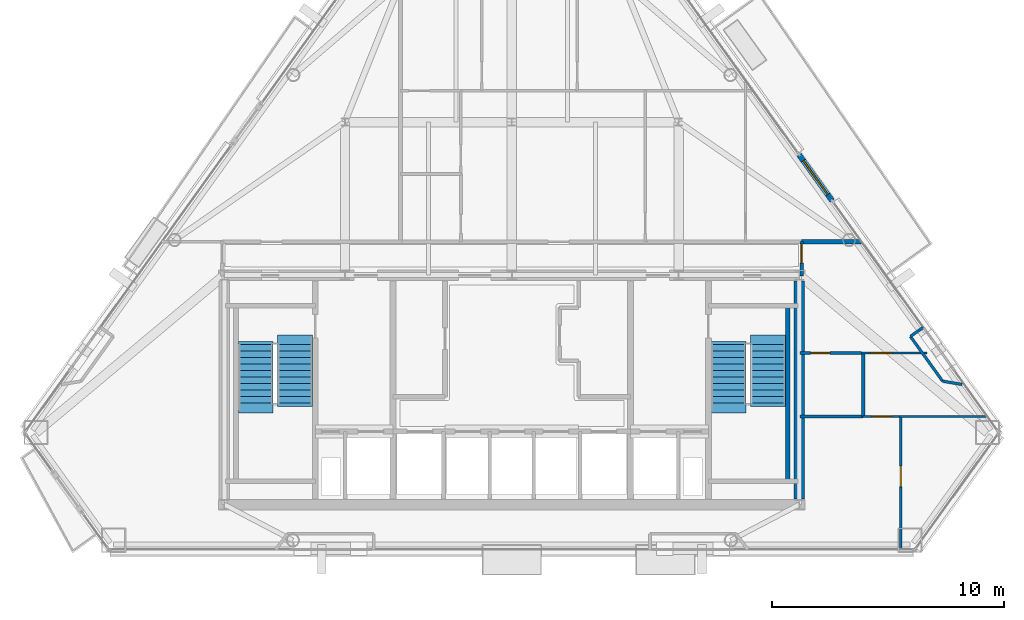
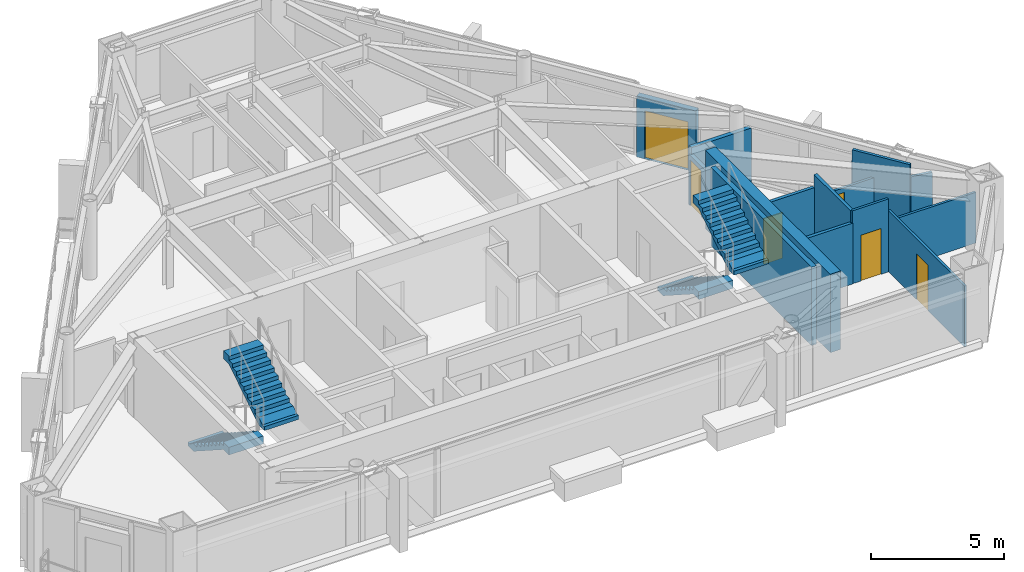
# One storey, part 9 of 11: 15 walls, 6 doors, 4 stair flights, 6 openings, 2 elements without a shape of their own.
"""IFC4 building model written with IfcOpenShell, lengths in metres."""

from ifc_helpers import new_model, si_unit, direction, frame, frame_2d, origin, place, context, subcontext, project, spatial, polyline, rectangle, outline, extrude, material, layer, layer_set, type_object, element, fill, aggregate, save


model = new_model("IFC4")

# Units and contexts
model_context = context("Model", 3, precision=1e-05, world=origin(), true_north=direction((0.0, 1.0)))
body_context = subcontext(model_context, "Body", "Model", "MODEL_VIEW")
ifc_project = project(units=[si_unit("LENGTHUNIT", "METRE"), si_unit("AREAUNIT", "SQUARE_METRE"), si_unit("VOLUMEUNIT", "CUBIC_METRE"), si_unit("PLANEANGLEUNIT", "RADIAN"), si_unit("MASSUNIT", "GRAM", prefix="KILO")], contexts=[model_context])

# Site, building, storey
site_placement = place(None, origin())
site = spatial("IfcSite", under=ifc_project, at=site_placement, CompositionType="ELEMENT")
building_placement = place(site_placement, origin())
building = spatial("IfcBuilding", under=site, at=building_placement, Name="Talgorran Terracotta Tower", CompositionType="ELEMENT")
storey_placement = place(building_placement, frame((0.0, 0.0, 196.5)))
storey = spatial("IfcBuildingStorey", under=building, at=storey_placement, Name="L51", CompositionType="ELEMENT", Elevation=196.5)

# Wall, opening, door
ifc_material_1 = material(Name="Concrete C40/50", Category="concrete")
ifc_layer_1 = layer(ifc_material_1, 0.239990234375, Name="WT_BALCONY_SPAND")
ifc_layer_set_1 = layer_set([ifc_layer_1], Name="Concrete C40/50")
wall_type_1 = type_object("IfcWallType", Name="WT_BALCONY_SPAND", PredefinedType="STANDARD", material=ifc_layer_set_1)
wall_1_placement = place(storey_placement, frame((13.819091796875, -0.98681640625, -0.014892578125), z_axis=(0.0, 0.0, 1.0), x_axis=(-0.583951454754, 0.811788579921, 0.0)))
wall_1 = element("IfcWall", 1, at=wall_1_placement, inside=storey, type_object=wall_type_1, Name="WL-L51-BALP-BAL-NE", PredefinedType="STANDARD", context=body_context, shape_type="SweptSolid", body=[
    extrude(rectangle(XDim=2.43994140625, YDim=0.239990234375, at=frame_2d((1.219970703125, 0.0))), origin(), (0.0, 0.0, 1.0), 2.806884765625),
])
opening_1_placement = place(wall_1_placement, frame((0.320068359375, 0.0, 0.014892578125)))
opening_1 = element("IfcOpeningElement", 2, at=opening_1_placement, cuts=wall_1, Name="Opening D-BAL-L51-1", PredefinedType="OPENING", context=body_context, shape_type="SweptSolid", body=[
    extrude(rectangle(XDim=1.806048828125, YDim=2.203951171875, at=frame_2d((0.89990234375, 1.10205078125))), frame((0.0, 0.1298828125, 0.0), z_axis=(0.0, -1.0, 0.0), x_axis=(1.0, 0.0, 0.0)), (0.0, 0.0, 1.0), 0.260009765625),
])
ifc_material_2 = material(Name="Thermally Broken Aluminium", Category="aluminium")
door_type_1 = type_object("IfcDoorType", Name="DT_BALC_1800", OperationType="SLIDING_TO_LEFT", PredefinedType="DOOR", material=ifc_material_2)
door_1_placement = place(opening_1_placement, origin())
door_1 = element("IfcDoor", 3, at=door_1_placement, inside=storey, type_object=door_type_1, Name="DR-L51-BAL-BAL-NE", OperationType="SLIDING_TO_LEFT", OverallHeight=2.199951171875, OverallWidth=1.800048828125, PredefinedType="DOOR", context=body_context, shape_type="SweptSolid", body=[
    extrude(rectangle(XDim=1.800048828125, YDim=2.199951171875, at=frame_2d((0.89990234375, 1.10009765625))), frame((0.0, 0.02490234375, 0.0), z_axis=(0.0, -1.0, 0.0), x_axis=(1.0, 0.0, 0.0)), (0.0, 0.0, 1.0), 0.050048828125),
])
fill(opening_1, door_1)

# Walls
ifc_material_3 = material(Name="Concrete C50/60", Category="concrete")
ifc_layer_2 = layer(ifc_material_3, 0.199951171875, Name="WT_CORE_200")
ifc_layer_set_2 = layer_set([ifc_layer_2], Name="Concrete C50/60")
wall_type_2 = type_object("IfcWallType", Name="WT_CORE_200", PredefinedType="SOLIDWALL", material=ifc_layer_set_2)
wall_2_placement = place(storey_placement, frame((11.89990234375, -13.10009765625, 0.0), z_axis=(0.0, 0.0, 1.0), x_axis=(0.0, 1.0, 0.0)))
element("IfcWall", 4, at=wall_2_placement, inside=storey, type_object=wall_type_2, Name="WL-L51-CW-ST2-E", PredefinedType="SOLIDWALL", context=body_context, shape_type="SweptSolid", body=[
    extrude(rectangle(XDim=7.580078125, YDim=0.199951171875, at=frame_2d((3.7900390625, 0.0))), origin(), (0.0, 0.0, 1.0), 3.60009765625),
])
ifc_material_4 = material(Name="Concrete C65/80", Category="concrete")
ifc_layer_3 = layer(ifc_material_4, 0.449951171875, Name="WT_CORE_EXT")
ifc_layer_set_3 = layer_set([ifc_layer_3], Name="Concrete C65/80")
wall_type_3 = type_object("IfcWallType", Name="WT_CORE_EXT", PredefinedType="SHEAR", material=ifc_layer_set_3)
wall_3_placement = place(storey_placement, frame((12.39990234375, -13.85009765625, 0.0), z_axis=(0.0, 0.0, 1.0), x_axis=(0.0, 1.0, 0.0)))
element("IfcWall", 5, at=wall_3_placement, inside=storey, type_object=wall_type_3, Name="WL-L51-CW-OUT-E", PredefinedType="SHEAR", context=body_context, shape_type="SweptSolid", body=[
    extrude(rectangle(XDim=9.400146484375, YDim=0.449951171875, at=frame_2d((4.7001953125, 0.0))), origin(), (0.0, 0.0, 1.0), 3.60009765625),
])

# Wall, opening, door
ifc_material_5 = material(Name="Fire-Rated Steel Stud Plasterboard", Category="steel")
ifc_layer_4 = layer(ifc_material_5, 0.14990234375, Name="WT_FIRE_150")
ifc_layer_set_4 = layer_set([ifc_layer_4], Name="Fire-Rated Steel Stud Plasterboard")
wall_type_4 = type_object("IfcWallType", Name="WT_FIRE_150", PredefinedType="PARTITIONING", material=ifc_layer_set_4)
wall_4_placement = place(storey_placement, frame((12.5, -4.239990234375, 0.0), z_axis=(0.0, 0.0, 1.0), x_axis=(0.0, 1.0, 0.0)))
wall_4 = element("IfcWall", 6, at=wall_4_placement, inside=storey, type_object=wall_type_4, Name="WL-L51-W-L51-R02", PredefinedType="PARTITIONING", context=body_context, shape_type="SweptSolid", body=[
    extrude(rectangle(XDim=1.47998046875, YDim=0.14990234375, at=frame_2d((0.739990234375, 0.0))), origin(), (0.0, 0.0, 1.0), 2.324951171875),
])
opening_2_placement = place(wall_4_placement, frame((0.56005859375, 0.0, 0.0)))
opening_2 = element("IfcOpeningElement", 7, at=opening_2_placement, cuts=wall_4, Name="Opening DR-L51-R02", PredefinedType="OPENING", context=body_context, shape_type="SweptSolid", body=[
    extrude(rectangle(XDim=0.826068359375, YDim=2.10409765625, at=frame_2d((0.41015625, 1.052001953125))), frame((0.0, 0.0849609375, 0.0), z_axis=(0.0, -1.0, 0.0), x_axis=(1.0, 0.0, 0.0)), (0.0, 0.0, 1.0), 0.169921875),
])
ifc_material_6 = material(Name="Moisture-Resistant Solid Timber", Category="wood")
door_type_2 = type_object("IfcDoorType", Name="DT_INT_820", OperationType="NOTDEFINED", PredefinedType="DOOR", material=ifc_material_6)
door_2_placement = place(opening_2_placement, origin())
door_2 = element("IfcDoor", 8, at=door_2_placement, inside=storey, type_object=door_type_2, Name="DR-L51-R02", OperationType="SINGLE_SWING_RIGHT", OverallHeight=2.10009765625, OverallWidth=0.820068359375, PredefinedType="DOOR", context=body_context, shape_type="SweptSolid", body=[
    extrude(rectangle(XDim=0.820068359375, YDim=2.10009765625, at=frame_2d((0.41015625, 1.050048828125))), frame((0.0, 0.02490234375, 0.0), z_axis=(0.0, -1.0, 0.0), x_axis=(1.0, 0.0, 0.0)), (0.0, 0.0, 1.0), 0.050048828125),
])
fill(opening_2, door_2)

# Wall
ifc_material_7 = material(Name="Acoustic Stud and Plasterboard")
ifc_layer_5 = layer(ifc_material_7, 0.179931640625, Name="WT_PARTY_200")
ifc_layer_set_5 = layer_set([ifc_layer_5], Name="Acoustic Stud and Plasterboard")
wall_type_5 = type_object("IfcWallType", Name="WT_PARTY_200", PredefinedType="PARTITIONING", material=ifc_layer_set_5)
wall_5_placement = place(storey_placement, frame((12.5, -2.760009765625, 0.0), z_axis=(0.0, 0.0, 1.0), x_axis=(1.0, 0.0, 0.0)))
element("IfcWall", 9, at=wall_5_placement, inside=storey, type_object=wall_type_5, Name="WL-L51-W-L51-R11", PredefinedType="PARTITIONING", context=body_context, shape_type="SweptSolid", body=[
    extrude(rectangle(XDim=2.5947265625, YDim=0.179931640625, at=frame_2d((1.29736328125, 0.0))), origin(), (0.0, 0.0, 1.0), 2.625),
])

# Wall, opening, door
ifc_material_8 = material(Name="Lightweight Steel Stud Partition", Category="steel")
ifc_layer_6 = layer(ifc_material_8, 0.10498046875, Name="WT_PART_110")
ifc_layer_set_6 = layer_set([ifc_layer_6], Name="Lightweight Steel Stud Partition")
wall_type_6 = type_object("IfcWallType", Name="WT_PART_110", PredefinedType="PARTITIONING", material=ifc_layer_set_6)
wall_6_placement = place(storey_placement, frame((16.780029296875, -16.041015625, 0.0), z_axis=(0.0, 0.0, 1.0), x_axis=(0.0, 1.0, 0.0)))
wall_6 = element("IfcWall", 10, at=wall_6_placement, inside=storey, type_object=wall_type_6, Name="WL-L51-W-L51-R16", PredefinedType="PARTITIONING", context=body_context, shape_type="SweptSolid", body=[
    extrude(rectangle(XDim=5.740966796875, YDim=0.10498046875, at=frame_2d((2.87060546875, 0.0))), origin(), (0.0, 0.0, 1.0), 2.7919921875),
])
opening_3_placement = place(wall_6_placement, frame((2.718017578125, 0.0, 0.0)))
opening_3 = element("IfcOpeningElement", 11, at=opening_3_placement, cuts=wall_6, Name="Opening DR-L51-R06", PredefinedType="OPENING", context=body_context, shape_type="SweptSolid", body=[
    extrude(rectangle(XDim=0.8858828125, YDim=2.10409765625, at=frame_2d((0.43994140625, 1.052001953125))), frame((0.0, 0.0625, 0.0), z_axis=(0.0, -1.0, 0.0), x_axis=(1.0, 0.0, 0.0)), (0.0, 0.0, 1.0), 0.125),
])
ifc_material_9 = material(Name="Solid-Core Painted Timber", Category="wood")
door_type_3 = type_object("IfcDoorType", Name="DT_INT_880", OperationType="NOTDEFINED", PredefinedType="DOOR", material=ifc_material_9)
door_3_placement = place(opening_3_placement, origin())
door_3 = element("IfcDoor", 12, at=door_3_placement, inside=storey, type_object=door_type_3, Name="DR-L51-R06", OperationType="SINGLE_SWING_RIGHT", OverallHeight=2.10009765625, OverallWidth=0.8798828125, PredefinedType="DOOR", context=body_context, shape_type="SweptSolid", body=[
    extrude(rectangle(XDim=0.8798828125, YDim=2.10009765625, at=frame_2d((0.43994140625, 1.050048828125))), frame((0.0, 0.02490234375, 0.0), z_axis=(0.0, -1.0, 0.0), x_axis=(1.0, 0.0, 0.0)), (0.0, 0.0, 1.0), 0.050048828125),
])
fill(opening_3, door_3)

# Wall
wall_7_placement = place(storey_placement, frame((16.719970703125, -10.300048828125, 0.0), z_axis=(0.0, 0.0, 1.0), x_axis=(1.0, 0.0, 0.0)))
element("IfcWall", 13, at=wall_7_placement, inside=storey, type_object=wall_type_6, Name="WL-L51-W-L51-R15", PredefinedType="PARTITIONING", context=body_context, shape_type="SweptSolid", body=[
    extrude(rectangle(XDim=3.799072265625, YDim=0.10498046875, at=frame_2d((1.8994140625, 0.0))), origin(), (0.0, 0.0, 1.0), 2.324951171875),
])

# Wall, opening, door
wall_8_placement = place(storey_placement, frame((15.080078125, -7.56005859375, 0.0), z_axis=(0.0, 0.0, 1.0), x_axis=(1.0, 0.0, 0.0)))
wall_8 = element("IfcWall", 14, at=wall_8_placement, inside=storey, type_object=wall_type_6, Name="WL-L51-W-L51-R10", PredefinedType="PARTITIONING", context=body_context, shape_type="SweptSolid", body=[
    extrude(rectangle(XDim=2.83984375, YDim=0.10498046875, at=frame_2d((1.419921875, 0.0))), origin(), (0.0, 0.0, 1.0), 2.324951171875),
])
opening_4_placement = place(wall_8_placement, frame((0.435791015625, 0.0, 0.0)))
opening_4 = element("IfcOpeningElement", 15, at=opening_4_placement, cuts=wall_8, Name="Opening DR-L51-R04", PredefinedType="OPENING", context=body_context, shape_type="SweptSolid", body=[
    extrude(rectangle(XDim=0.8858828125, YDim=2.10409765625, at=frame_2d((0.43994140625, 1.052001953125))), frame((0.0, 0.0625, 0.0), z_axis=(0.0, -1.0, 0.0), x_axis=(1.0, 0.0, 0.0)), (0.0, 0.0, 1.0), 0.125),
])
door_4_placement = place(opening_4_placement, origin())
door_4 = element("IfcDoor", 16, at=door_4_placement, inside=storey, type_object=door_type_3, Name="DR-L51-R04", OperationType="SINGLE_SWING_RIGHT", OverallHeight=2.10009765625, OverallWidth=0.8798828125, PredefinedType="DOOR", context=body_context, shape_type="SweptSolid", body=[
    extrude(rectangle(XDim=0.8798828125, YDim=2.10009765625, at=frame_2d((0.43994140625, 1.050048828125))), frame((0.0, 0.02490234375, 0.0), z_axis=(0.0, -1.0, 0.0), x_axis=(1.0, 0.0, 0.0)), (0.0, 0.0, 1.0), 0.050048828125),
])
fill(opening_4, door_4)

wall_9_placement = place(storey_placement, frame((15.159912109375, -10.300048828125, 0.0), z_axis=(0.0, 0.0, 1.0), x_axis=(1.0, 0.0, 0.0)))
wall_9 = element("IfcWall", 17, at=wall_9_placement, inside=storey, type_object=wall_type_6, Name="WL-L51-W-L51-R14", PredefinedType="PARTITIONING", context=body_context, shape_type="SweptSolid", body=[
    extrude(rectangle(XDim=1.55810546875, YDim=0.10498046875, at=frame_2d((0.779052734375, 0.0))), origin(), (0.0, 0.0, 1.0), 3.35009765625),
])
opening_5_placement = place(wall_9_placement, frame((0.360107421875, 0.0, 0.0)))
opening_5 = element("IfcOpeningElement", 18, at=opening_5_placement, cuts=wall_9, Name="Opening DR-L51-R05", PredefinedType="OPENING", context=body_context, shape_type="SweptSolid", body=[
    extrude(rectangle(XDim=0.8858828125, YDim=2.10409765625, at=frame_2d((0.43994140625, 1.052001953125))), frame((0.0, 0.0625, 0.0), z_axis=(0.0, -1.0, 0.0), x_axis=(1.0, 0.0, 0.0)), (0.0, 0.0, 1.0), 0.125),
])
door_5_placement = place(opening_5_placement, origin())
door_5 = element("IfcDoor", 19, at=door_5_placement, inside=storey, type_object=door_type_3, Name="DR-L51-R05", OperationType="SINGLE_SWING_LEFT", OverallHeight=2.10009765625, OverallWidth=0.8798828125, PredefinedType="DOOR", context=body_context, shape_type="SweptSolid", body=[
    extrude(rectangle(XDim=0.8798828125, YDim=2.10009765625, at=frame_2d((0.43994140625, 1.050048828125))), frame((0.0, 0.02490234375, 0.0), z_axis=(0.0, -1.0, 0.0), x_axis=(1.0, 0.0, 0.0)), (0.0, 0.0, 1.0), 0.050048828125),
])
fill(opening_5, door_5)

# Walls
ifc_material_10 = material(Name="Insulated Steel Stud Plasterboard", Category="steel")
ifc_layer_7 = layer(ifc_material_10, 0.1201171875, Name="WT_PART_120")
ifc_layer_set_7 = layer_set([ifc_layer_7], Name="Insulated Steel Stud Plasterboard")
wall_type_7 = type_object("IfcWallType", Name="WT_PART_120", PredefinedType="PARTITIONING", material=ifc_layer_set_7)
wall_10_placement = place(storey_placement, frame((18.586181640625, -8.777587890625, 0.0), z_axis=(0.0, 0.0, 1.0), x_axis=(-0.583963896956, 0.811779629611, 0.0)))
element("IfcWall", 20, at=wall_10_placement, inside=storey, type_object=wall_type_7, Name="WL-L51-BW-L51-13", PredefinedType="PARTITIONING", context=body_context, shape_type="SweptSolid", body=[
    extrude(rectangle(XDim=2.3779296875, YDim=0.1201171875, at=frame_2d((1.18896484375, 0.0))), origin(), (0.0, 0.0, 1.0), 3.35009765625),
])
wall_11_placement = place(storey_placement, frame((19.42431640625, -8.917236328125, 0.0), z_axis=(0.0, 0.0, 1.0), x_axis=(-0.98640168839, 0.164352393172, 0.0)))
element("IfcWall", 21, at=wall_11_placement, inside=storey, type_object=wall_type_7, Name="WL-L51-BW-L51-12", PredefinedType="PARTITIONING", context=body_context, shape_type="SweptSolid", body=[
    extrude(rectangle(XDim=0.849609375, YDim=0.1201171875, at=frame_2d((0.4248046875, 0.0))), origin(), (0.0, 0.0, 1.0), 2.7919921875),
])
wall_12_placement = place(storey_placement, frame((17.197509765625, -6.84716796875, 0.0), z_axis=(0.0, 0.0, 1.0), x_axis=(0.811783169955, 0.583958975423, 0.0)))
element("IfcWall", 22, at=wall_12_placement, inside=storey, type_object=wall_type_7, Name="WL-L51-BW-L51-11", PredefinedType="PARTITIONING", context=body_context, shape_type="SweptSolid", body=[
    extrude(rectangle(XDim=0.669677734375, YDim=0.1201171875, at=frame_2d((0.3349609375, 0.0))), origin(), (0.0, 0.0, 1.0), 2.7919921875),
])

# Wall, opening, door
ifc_material_11 = material(Name="Moisture-Resistant Stud Wall")
ifc_layer_8 = layer(ifc_material_11, 0.135009765625, Name="WT_PART_135")
ifc_layer_set_8 = layer_set([ifc_layer_8], Name="Moisture-Resistant Stud Wall")
wall_type_8 = type_object("IfcWallType", Name="WT_PART_135", PredefinedType="PARTITIONING", material=ifc_layer_set_8)
wall_13_placement = place(storey_placement, frame((12.43994140625, -7.56005859375, 0.0), z_axis=(0.0, 0.0, 1.0), x_axis=(1.0, 0.0, 0.0)))
wall_13 = element("IfcWall", 23, at=wall_13_placement, inside=storey, type_object=wall_type_8, Name="WL-L51-W-L51-R09", PredefinedType="PARTITIONING", context=body_context, shape_type="SweptSolid", body=[
    extrude(rectangle(XDim=2.637939453125, YDim=0.135009765625, at=frame_2d((1.31884765625, 0.0))), origin(), (0.0, 0.0, 1.0), 2.7919921875),
])
opening_6_placement = place(wall_13_placement, frame((0.457763671875, 0.0, 0.0)))
opening_6 = element("IfcOpeningElement", 24, at=opening_6_placement, cuts=wall_13, Name="Opening DR-L51-R03", PredefinedType="OPENING", context=body_context, shape_type="SweptSolid", body=[
    extrude(rectangle(XDim=0.826068359375, YDim=2.10409765625, at=frame_2d((0.41015625, 1.052001953125))), frame((0.0, 0.07763671875, 0.0), z_axis=(0.0, -1.0, 0.0), x_axis=(1.0, 0.0, 0.0)), (0.0, 0.0, 1.0), 0.155029296875),
])
door_6_placement = place(opening_6_placement, origin())
door_6 = element("IfcDoor", 25, at=door_6_placement, inside=storey, type_object=door_type_2, Name="DR-L51-R03", OperationType="SINGLE_SWING_LEFT", OverallHeight=2.10009765625, OverallWidth=0.820068359375, PredefinedType="DOOR", context=body_context, shape_type="SweptSolid", body=[
    extrude(rectangle(XDim=0.820068359375, YDim=2.10009765625, at=frame_2d((0.41015625, 1.050048828125))), frame((0.0, 0.02490234375, 0.0), z_axis=(0.0, -1.0, 0.0), x_axis=(1.0, 0.0, 0.0)), (0.0, 0.0, 1.0), 0.050048828125),
])
fill(opening_6, door_6)

# Walls
wall_14_placement = place(storey_placement, frame((15.159912109375, -10.300048828125, 0.0), z_axis=(0.0, 0.0, 1.0), x_axis=(0.0, 1.0, 0.0)))
element("IfcWall", 26, at=wall_14_placement, inside=storey, type_object=wall_type_8, Name="WL-L51-W-L51-R12", PredefinedType="PARTITIONING", context=body_context, shape_type="SweptSolid", body=[
    extrude(rectangle(XDim=2.739990234375, YDim=0.135009765625, at=frame_2d((1.3701171875, 0.0))), origin(), (0.0, 0.0, 1.0), 3.35009765625),
])
wall_15_placement = place(storey_placement, frame((12.43994140625, -10.300048828125, 0.0), z_axis=(0.0, 0.0, 1.0), x_axis=(1.0, 0.0, 0.0)))
element("IfcWall", 27, at=wall_15_placement, inside=storey, type_object=wall_type_8, Name="WL-L51-W-L51-R13", PredefinedType="PARTITIONING", context=body_context, shape_type="SweptSolid", body=[
    extrude(rectangle(XDim=2.719970703125, YDim=0.135009765625, at=frame_2d((1.35986328125, 0.0))), origin(), (0.0, 0.0, 1.0), 2.7919921875),
])

# Stair, stair flights
stair_type = type_object("IfcStairType", Name="ST_FIRE_SCISSOR", PredefinedType="HALF_TURN_STAIR", material=ifc_material_1)
stair_1_placement = place(storey_placement, origin())
stair_1 = element("IfcStair", 28, at=stair_1_placement, inside=storey, type_object=stair_type, Name="L51 West Protected Fire Stair ST-01", PredefinedType="HALF_TURN_STAIR")
ifc_layer_9 = layer(ifc_material_1, 0.179931640625, Name="STF_RC_1500")
ifc_layer_set_9 = layer_set([ifc_layer_9], Name="Concrete C40/50")
stair_flight_type = type_object("IfcStairFlightType", Name="STF_RC_1500", PredefinedType="STRAIGHT", material=ifc_layer_set_9)
stair_flight_1_placement = place(storey_placement, frame((-11.050048828125, -7.199951171875, 0.0), z_axis=(0.0, 0.0, 1.0), x_axis=(0.0, -1.0, 0.0)))
stair_flight_1 = element("IfcStairFlight", 29, at=stair_flight_1_placement, type_object=stair_flight_type, Name="ST-01 flight 1", NumberOfRisers=10, NumberOfTreads=9, PredefinedType="STRAIGHT", RiserHeight=0.18, TreadLength=0.28, context=body_context, shape_type="SweptSolid", body=[
    extrude(outline(polyline([(-0.139892578125, 0.0), (-0.139892578125, 0.179931640625), (0.0, 0.179931640625), (0.280029296875, 0.360107421875), (0.56005859375, 0.360107421875), (0.56005859375, 0.5400390625), (0.840087890625, 0.5400390625), (0.840087890625, 0.719970703125), (1.1201171875, 0.719970703125), (1.1201171875, 0.89990234375), (1.39990234375, 0.89990234375), (1.39990234375, 1.080078125), (1.679931640625, 1.080078125), (1.679931640625, 1.260009765625), (1.9599609375, 1.260009765625), (1.9599609375, 1.43994140625), (2.239990234375, 1.43994140625), (2.239990234375, 1.6201171875), (2.52001953125, 1.6201171875), (2.52001953125, 1.800048828125), (2.93994140625, 1.800048828125), (2.93994140625, 1.44189453125), (2.52001953125, 1.44189453125), (0.277099609375, 0.0), (-0.139892578125, 0.0)])), frame((0.0, 0.75, 0.0), z_axis=(0.0, -1.0, 0.0), x_axis=(1.0, 0.0, 0.0)), (0.0, 0.0, 1.0), 1.5),
])
stair_flight_2_placement = place(storey_placement, frame((-9.35009765625, -9.719970703125, 1.800048828125), z_axis=(0.0, 0.0, 1.0), x_axis=(0.0, 1.0, 0.0)))
stair_flight_2 = element("IfcStairFlight", 30, at=stair_flight_2_placement, type_object=stair_flight_type, Name="ST-01 flight 2", NumberOfRisers=10, NumberOfTreads=9, PredefinedType="STRAIGHT", RiserHeight=0.18, TreadLength=0.28, context=body_context, shape_type="SweptSolid", body=[
    extrude(outline(polyline([(-0.139892578125, 0.0), (-0.139892578125, 0.179931640625), (0.0, 0.179931640625), (0.280029296875, 0.360107421875), (0.56005859375, 0.360107421875), (0.56005859375, 0.5400390625), (0.840087890625, 0.5400390625), (0.840087890625, 0.719970703125), (1.1201171875, 0.719970703125), (1.1201171875, 0.89990234375), (1.39990234375, 0.89990234375), (1.39990234375, 1.080078125), (1.679931640625, 1.080078125), (1.679931640625, 1.260009765625), (1.9599609375, 1.260009765625), (1.9599609375, 1.43994140625), (2.239990234375, 1.43994140625), (2.239990234375, 1.6201171875), (2.52001953125, 1.6201171875), (2.52001953125, 1.800048828125), (2.93994140625, 1.800048828125), (2.93994140625, 1.44189453125), (2.52001953125, 1.44189453125), (0.277099609375, 0.0), (-0.139892578125, 0.0)])), frame((0.0, 0.75, 0.0), z_axis=(0.0, -1.0, 0.0), x_axis=(1.0, 0.0, 0.0)), (0.0, 0.0, 1.0), 1.5),
])
aggregate(stair_1, [stair_flight_1, stair_flight_2])

stair_2_placement = place(storey_placement, origin())
stair_2 = element("IfcStair", 31, at=stair_2_placement, inside=storey, type_object=stair_type, Name="L51 East Protected Fire Stair ST-02", PredefinedType="HALF_TURN_STAIR")
stair_flight_3_placement = place(storey_placement, frame((9.35009765625, -7.199951171875, 0.0), z_axis=(0.0, 0.0, 1.0), x_axis=(0.0, -1.0, 0.0)))
stair_flight_3 = element("IfcStairFlight", 32, at=stair_flight_3_placement, type_object=stair_flight_type, Name="ST-02 flight 1", NumberOfRisers=10, NumberOfTreads=9, PredefinedType="STRAIGHT", RiserHeight=0.18, TreadLength=0.28, context=body_context, shape_type="SweptSolid", body=[
    extrude(outline(polyline([(-0.139892578125, 0.0), (-0.139892578125, 0.179931640625), (0.0, 0.179931640625), (0.280029296875, 0.360107421875), (0.56005859375, 0.360107421875), (0.56005859375, 0.5400390625), (0.840087890625, 0.5400390625), (0.840087890625, 0.719970703125), (1.1201171875, 0.719970703125), (1.1201171875, 0.89990234375), (1.39990234375, 0.89990234375), (1.39990234375, 1.080078125), (1.679931640625, 1.080078125), (1.679931640625, 1.260009765625), (1.9599609375, 1.260009765625), (1.9599609375, 1.43994140625), (2.239990234375, 1.43994140625), (2.239990234375, 1.6201171875), (2.52001953125, 1.6201171875), (2.52001953125, 1.800048828125), (2.93994140625, 1.800048828125), (2.93994140625, 1.44189453125), (2.52001953125, 1.44189453125), (0.277099609375, 0.0), (-0.139892578125, 0.0)])), frame((0.0, 0.75, 0.0), z_axis=(0.0, -1.0, 0.0), x_axis=(1.0, 0.0, 0.0)), (0.0, 0.0, 1.0), 1.5),
])
stair_flight_4_placement = place(storey_placement, frame((11.050048828125, -9.719970703125, 1.800048828125), z_axis=(0.0, 0.0, 1.0), x_axis=(0.0, 1.0, 0.0)))
stair_flight_4 = element("IfcStairFlight", 33, at=stair_flight_4_placement, type_object=stair_flight_type, Name="ST-02 flight 2", NumberOfRisers=10, NumberOfTreads=9, PredefinedType="STRAIGHT", RiserHeight=0.18, TreadLength=0.28, context=body_context, shape_type="SweptSolid", body=[
    extrude(outline(polyline([(-0.139892578125, 0.0), (-0.139892578125, 0.179931640625), (0.0, 0.179931640625), (0.280029296875, 0.360107421875), (0.56005859375, 0.360107421875), (0.56005859375, 0.5400390625), (0.840087890625, 0.5400390625), (0.840087890625, 0.719970703125), (1.1201171875, 0.719970703125), (1.1201171875, 0.89990234375), (1.39990234375, 0.89990234375), (1.39990234375, 1.080078125), (1.679931640625, 1.080078125), (1.679931640625, 1.260009765625), (1.9599609375, 1.260009765625), (1.9599609375, 1.43994140625), (2.239990234375, 1.43994140625), (2.239990234375, 1.6201171875), (2.52001953125, 1.6201171875), (2.52001953125, 1.800048828125), (2.93994140625, 1.800048828125), (2.93994140625, 1.44189453125), (2.52001953125, 1.44189453125), (0.277099609375, 0.0), (-0.139892578125, 0.0)])), frame((0.0, 0.75, 0.0), z_axis=(0.0, -1.0, 0.0), x_axis=(1.0, 0.0, 0.0)), (0.0, 0.0, 1.0), 1.5),
])
aggregate(stair_2, [stair_flight_3, stair_flight_4])

save(model, "model.ifc")
